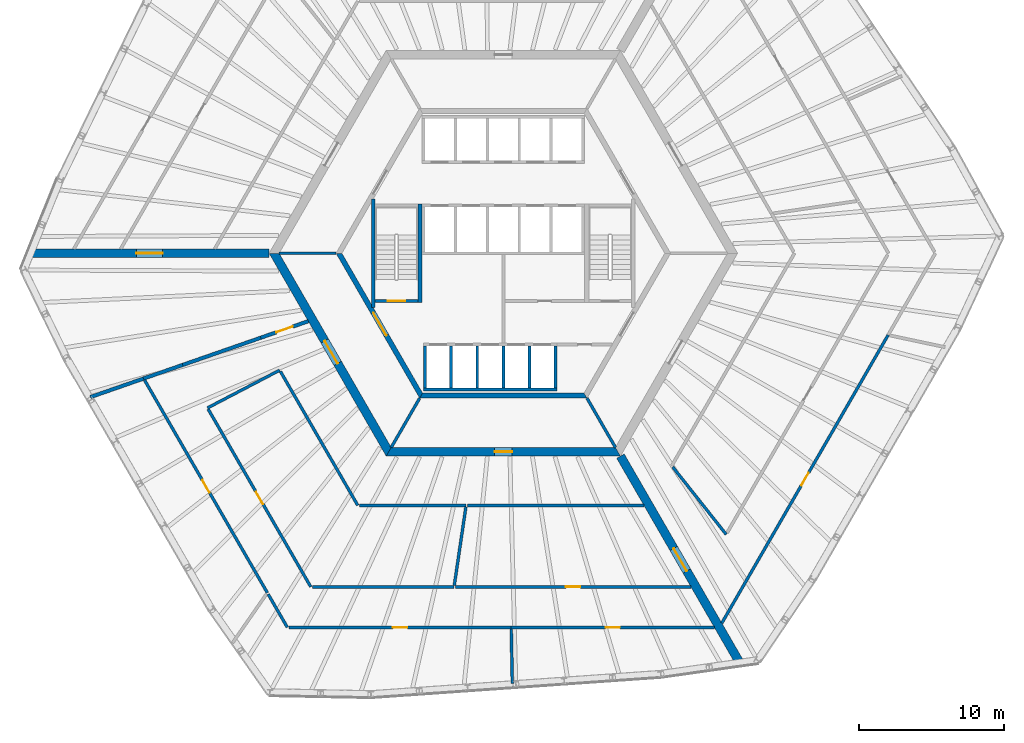
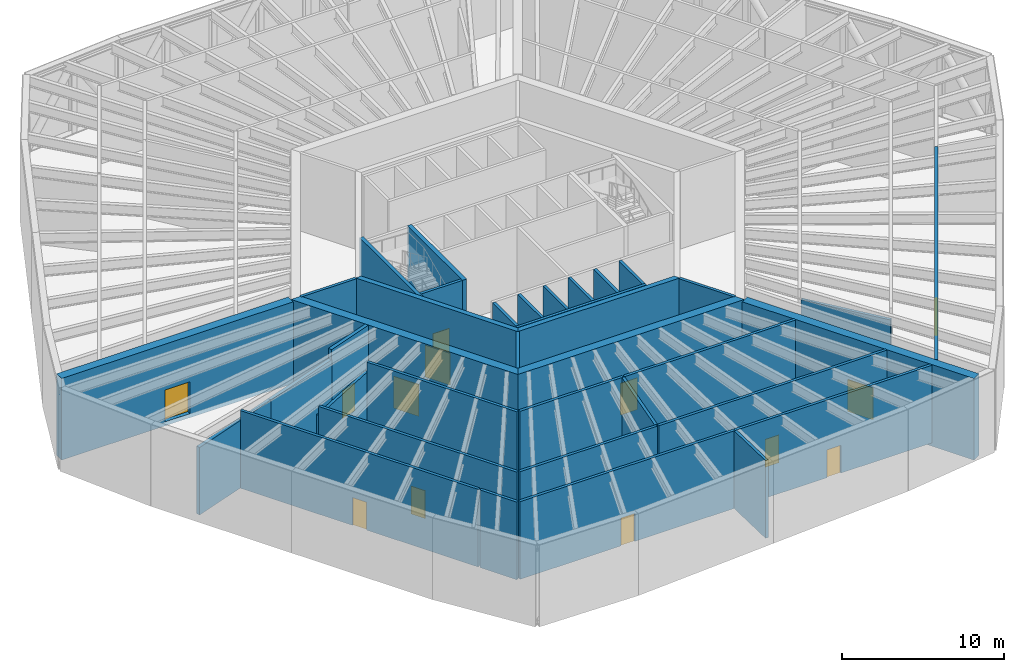
# One storey, part 6 of 11: 38 walls, 13 doors, 13 openings.
"""IFC4 building model written with IfcOpenShell, lengths in metres."""

from ifc_helpers import new_model, si_unit, direction, frame, frame_2d, origin, place, context, subcontext, project, spatial, polyline, rectangle, outline, extrude, material, layer, layer_set, type_object, element, fill, save


model = new_model("IFC4")

# Units and contexts
model_context = context("Model", 3, precision=1e-05, world=origin(), true_north=direction((0.0, 1.0)))
body_context = subcontext(model_context, "Body", "Model", "MODEL_VIEW")
ifc_project = project(units=[si_unit("LENGTHUNIT", "METRE"), si_unit("AREAUNIT", "SQUARE_METRE"), si_unit("VOLUMEUNIT", "CUBIC_METRE"), si_unit("PLANEANGLEUNIT", "RADIAN"), si_unit("MASSUNIT", "GRAM", prefix="KILO")], contexts=[model_context])

# Site, building, storey
site_placement = place(None, origin())
site = spatial("IfcSite", under=ifc_project, at=site_placement, CompositionType="ELEMENT")
building_placement = place(site_placement, origin())
building = spatial("IfcBuilding", under=site, at=building_placement, Name="Tarnside Tower", CompositionType="ELEMENT")
storey_placement = place(building_placement, frame((0.0, 0.0, 31.5)))
storey = spatial("IfcBuildingStorey", under=building, at=storey_placement, Name="L05", CompositionType="ELEMENT", Elevation=31.5)

# Wall, opening, door
ifc_material_1 = material(Name="Concrete C50/60", Category="concrete")
ifc_layer_1 = layer(ifc_material_1, 0.35009765625)
ifc_layer_set_1 = layer_set([ifc_layer_1], Name="Core block wall 350 C50/60")
wall_type_1 = type_object("IfcWallType", Name="Core block wall 350 C50/60", PredefinedType="SHEAR", material=ifc_layer_set_1)
wall_1_placement = place(storey_placement, frame((-11.344970703125, 0.0, -0.300048828125), z_axis=(0.0, 0.0, 1.0), x_axis=(0.499995046907, -0.866028263435, 0.0)))
wall_1 = element("IfcWall", 1, at=wall_1_placement, inside=storey, type_object=wall_type_1, Name="L05 core block wall face 3", PredefinedType="SHEAR", context=body_context, shape_type="SweptSolid", body=[
    extrude(outline(polyline([(-0.10107421875, -0.175048828125), (11.44580078125, -0.175048828125), (11.24365234375, 0.175048828125), (0.10107421875, 0.175048828125), (-0.10107421875, -0.175048828125)])), origin(), (0.0, 0.0, 1.0), 6.150146484375),
])
opening_1_placement = place(wall_1_placement, frame((4.74365234375, 0.0, 0.300048828125)))
opening_1 = element("IfcOpeningElement", 2, at=opening_1_placement, cuts=wall_1, Name="Opening CD-FFL", PredefinedType="OPENING", context=body_context, shape_type="SweptSolid", body=[
    extrude(rectangle(XDim=1.800048828125, YDim=2.39990234375, at=frame_2d((0.89990234375, 1.199951171875))), frame((0.0, 0.18505859375, 0.0), z_axis=(0.0, -1.0, 0.0), x_axis=(1.0, 0.0, 0.0)), (0.0, 0.0, 1.0), 0.3701171875),
])
ifc_material_2 = material(Name="Steel fire door", Category="steel")
door_type_1 = type_object("IfcDoorType", Name="Firefighting lobby double door FD60S 1800x2400", OperationType="NOTDEFINED", PredefinedType="DOOR", material=ifc_material_2)
door_1_placement = place(opening_1_placement, origin())
door_1 = element("IfcDoor", 3, at=door_1_placement, inside=storey, type_object=door_type_1, Name="L05 lobby block door P3", OperationType="DOUBLE_DOOR_SINGLE_SWING", OverallHeight=2.39990234375, OverallWidth=1.800048828125, PredefinedType="DOOR", context=body_context, shape_type="SweptSolid", body=[
    extrude(rectangle(XDim=1.800048828125, YDim=2.39990234375, at=frame_2d((0.89990234375, 1.199951171875))), frame((0.0, 0.02490234375, 0.0), z_axis=(0.0, -1.0, 0.0), x_axis=(1.0, 0.0, 0.0)), (0.0, 0.0, 1.0), 0.050048828125),
])
fill(opening_1, door_1)

# Wall
wall_2_placement = place(storey_placement, frame((-5.672607421875, -9.824951171875, -0.300048828125), z_axis=(0.0, 0.0, 1.0), x_axis=(1.0, 0.0, 0.0)))
element("IfcWall", 4, at=wall_2_placement, inside=storey, type_object=wall_type_1, Name="L05 core block wall face 4", PredefinedType="SHEAR", context=body_context, shape_type="SweptSolid", body=[
    extrude(outline(polyline([(-0.10107421875, -0.175048828125), (11.4462890625, -0.175048828125), (11.244140625, 0.175048828125), (0.10107421875, 0.175048828125), (-0.10107421875, -0.175048828125)])), origin(), (0.0, 0.0, 1.0), 6.150146484375),
])

# Wall, opening, door
ifc_material_3 = material(Name="Concrete C80/95", Category="concrete")
ifc_layer_2 = layer(ifc_material_3, 0.60009765625)
ifc_layer_set_2 = layer_set([ifc_layer_2], Name="Core wall Z1 600 C80/95")
wall_type_2 = type_object("IfcWallType", Name="Core wall Z1 600 C80/95", PredefinedType="SHEAR", material=ifc_layer_set_2)
wall_3_placement = place(storey_placement, frame((-15.8193359375, 0.0, -0.300048828125), z_axis=(0.0, 0.0, 1.0), x_axis=(0.499999880136, -0.866025472988, 0.0)))
wall_3 = element("IfcWall", 5, at=wall_3_placement, inside=storey, type_object=wall_type_2, Name="L05 core wall face 3", PredefinedType="SHEAR", context=body_context, shape_type="SweptSolid", body=[
    extrude(outline(polyline([(-0.17333984375, -0.300048828125), (15.99267578125, -0.300048828125), (15.64599609375, 0.300048828125), (0.17333984375, 0.300048828125), (-0.17333984375, -0.300048828125)])), origin(), (0.0, 0.0, 1.0), 6.150146484375),
])
opening_2_placement = place(wall_3_placement, frame((6.980712890625, 0.0, 0.300048828125)))
opening_2 = element("IfcOpeningElement", 6, at=opening_2_placement, cuts=wall_3, Name="Opening CD-FFL", PredefinedType="OPENING", context=body_context, shape_type="SweptSolid", body=[
    extrude(rectangle(XDim=1.800048828125, YDim=2.39990234375, at=frame_2d((0.89990234375, 1.199951171875))), frame((0.0, 0.31005859375, 0.0), z_axis=(0.0, -1.0, 0.0), x_axis=(1.0, 0.0, 0.0)), (0.0, 0.0, 1.0), 0.6201171875),
])
door_2_placement = place(opening_2_placement, origin())
door_2 = element("IfcDoor", 7, at=door_2_placement, inside=storey, type_object=door_type_1, Name="L05 core door P3", OperationType="DOUBLE_DOOR_SINGLE_SWING", OverallHeight=2.39990234375, OverallWidth=1.800048828125, PredefinedType="DOOR", context=body_context, shape_type="SweptSolid", body=[
    extrude(rectangle(XDim=1.800048828125, YDim=2.39990234375, at=frame_2d((0.89990234375, 1.199951171875))), frame((0.0, 0.02490234375, 0.0), z_axis=(0.0, -1.0, 0.0), x_axis=(1.0, 0.0, 0.0)), (0.0, 0.0, 1.0), 0.050048828125),
])
fill(opening_2, door_2)

wall_4_placement = place(storey_placement, frame((-7.90966796875, -13.699951171875, -0.300048828125), z_axis=(0.0, 0.0, 1.0), x_axis=(1.0, 0.0, 0.0)))
wall_4 = element("IfcWall", 8, at=wall_4_placement, inside=storey, type_object=wall_type_2, Name="L05 core wall face 4", PredefinedType="SHEAR", context=body_context, shape_type="SweptSolid", body=[
    extrude(outline(polyline([(-0.17333984375, -0.300048828125), (15.99267578125, -0.300048828125), (15.64599609375, 0.300048828125), (0.17333984375, 0.300048828125), (-0.17333984375, -0.300048828125)])), origin(), (0.0, 0.0, 1.0), 6.150146484375),
])
opening_3_placement = place(wall_4_placement, frame((7.309814453125, 0.0, 0.300048828125)))
opening_3 = element("IfcOpeningElement", 9, at=opening_3_placement, cuts=wall_4, Name="Opening CD-RSR", PredefinedType="OPENING", context=body_context, shape_type="SweptSolid", body=[
    extrude(rectangle(XDim=1.199951171875, YDim=2.39990234375, at=frame_2d((0.60009765625, 1.199951171875))), frame((0.0, 0.31005859375, 0.0), z_axis=(0.0, -1.0, 0.0), x_axis=(1.0, 0.0, 0.0)), (0.0, 0.0, 1.0), 0.6201171875),
])
door_type_2 = type_object("IfcDoorType", Name="Riser door FD60 1200x2400", OperationType="NOTDEFINED", PredefinedType="DOOR", material=ifc_material_2)
door_3_placement = place(opening_3_placement, origin())
door_3 = element("IfcDoor", 10, at=door_3_placement, inside=storey, type_object=door_type_2, Name="L05 core door S6", OperationType="SINGLE_SWING_LEFT", OverallHeight=2.39990234375, OverallWidth=1.199951171875, PredefinedType="DOOR", context=body_context, shape_type="SweptSolid", body=[
    extrude(rectangle(XDim=1.199951171875, YDim=2.39990234375, at=frame_2d((0.60009765625, 1.199951171875))), frame((0.0, 0.02490234375, 0.0), z_axis=(0.0, -1.0, 0.0), x_axis=(1.0, 0.0, 0.0)), (0.0, 0.0, 1.0), 0.050048828125),
])
fill(opening_3, door_3)

wall_5_placement = place(storey_placement, frame((-16.165771484375, 0.0, -0.300048828125), z_axis=(0.0, 0.0, 1.0), x_axis=(-1.0, 0.0, 0.0)))
wall_5 = element("IfcWall", 11, at=wall_5_placement, inside=storey, type_object=wall_type_2, Name="L05 spine wall 2", PredefinedType="SHEAR", context=body_context, shape_type="SweptSolid", body=[
    extrude(rectangle(XDim=16.509033203125, YDim=0.60009765625, at=frame_2d((8.25439453125, 0.0))), origin(), (0.0, 0.0, 1.0), 6.150146484375),
])
opening_4_placement = place(wall_5_placement, frame((7.3544921875, 0.0, 0.300048828125)))
opening_4 = element("IfcOpeningElement", 12, at=opening_4_placement, cuts=wall_5, Name="Opening CD-SPN", PredefinedType="OPENING", context=body_context, shape_type="SweptSolid", body=[
    extrude(rectangle(XDim=1.800048828125, YDim=2.39990234375, at=frame_2d((0.89990234375, 1.199951171875))), frame((0.0, 0.31005859375, 0.0), z_axis=(0.0, -1.0, 0.0), x_axis=(1.0, 0.0, 0.0)), (0.0, 0.0, 1.0), 0.6201171875),
])
door_type_3 = type_object("IfcDoorType", Name="Spine passage double door FD60 1800x2400", OperationType="NOTDEFINED", PredefinedType="DOOR", material=ifc_material_2)
door_4_placement = place(opening_4_placement, origin())
door_4 = element("IfcDoor", 13, at=door_4_placement, inside=storey, type_object=door_type_3, Name="L05 spine passage door 2", OperationType="DOUBLE_DOOR_SINGLE_SWING", OverallHeight=2.39990234375, OverallWidth=1.800048828125, PredefinedType="DOOR", context=body_context, shape_type="SweptSolid", body=[
    extrude(rectangle(XDim=1.800048828125, YDim=2.39990234375, at=frame_2d((0.89990234375, 1.199951171875))), frame((0.0, 0.02490234375, 0.0), z_axis=(0.0, -1.0, 0.0), x_axis=(1.0, 0.0, 0.0)), (0.0, 0.0, 1.0), 0.050048828125),
])
fill(opening_4, door_4)

wall_6_placement = place(storey_placement, frame((8.0830078125, -14.0, -0.300048828125), z_axis=(0.0, 0.0, 1.0), x_axis=(0.499997680643, -0.866026742862, 0.0)))
wall_6 = element("IfcWall", 14, at=wall_6_placement, inside=storey, type_object=wall_type_2, Name="L05 spine wall 3", PredefinedType="SHEAR", context=body_context, shape_type="SweptSolid", body=[
    extrude(rectangle(XDim=16.5087890625, YDim=0.60009765625, at=frame_2d((8.25439453125, 0.0))), origin(), (0.0, 0.0, 1.0), 6.150146484375),
])
opening_5_placement = place(wall_6_placement, frame((7.3544921875, 0.0, 0.300048828125)))
opening_5 = element("IfcOpeningElement", 15, at=opening_5_placement, cuts=wall_6, Name="Opening CD-SPN", PredefinedType="OPENING", context=body_context, shape_type="SweptSolid", body=[
    extrude(rectangle(XDim=1.800048828125, YDim=2.39990234375, at=frame_2d((0.89990234375, 1.199951171875))), frame((0.0, 0.31005859375, 0.0), z_axis=(0.0, -1.0, 0.0), x_axis=(1.0, 0.0, 0.0)), (0.0, 0.0, 1.0), 0.6201171875),
])
door_5_placement = place(opening_5_placement, origin())
door_5 = element("IfcDoor", 16, at=door_5_placement, inside=storey, type_object=door_type_3, Name="L05 spine passage door 3", OperationType="DOUBLE_DOOR_SINGLE_SWING", OverallHeight=2.39990234375, OverallWidth=1.800048828125, PredefinedType="DOOR", context=body_context, shape_type="SweptSolid", body=[
    extrude(rectangle(XDim=1.800048828125, YDim=2.39990234375, at=frame_2d((0.89990234375, 1.199951171875))), frame((0.0, 0.02490234375, 0.0), z_axis=(0.0, -1.0, 0.0), x_axis=(1.0, 0.0, 0.0)), (0.0, 0.0, 1.0), 0.050048828125),
])
fill(opening_5, door_5)

# Walls
ifc_material_4 = material(Name="Concrete C40/50", Category="concrete")
ifc_layer_3 = layer(ifc_material_4, 0.199951171875)
ifc_layer_set_3 = layer_set([ifc_layer_3], Name="Lift shaft wall 200 C40/50")
wall_type_3 = type_object("IfcWallType", Name="Lift shaft wall 200 C40/50", PredefinedType="SHEAR", material=ifc_layer_set_3)
wall_7_placement = place(storey_placement, frame((-5.5, -9.39990234375, -0.25), z_axis=(0.0, 0.0, 1.0), x_axis=(1.0, 0.0, 0.0)))
element("IfcWall", 17, at=wall_7_placement, inside=storey, type_object=wall_type_3, Name="L05 lift shaft back wall R4", PredefinedType="SHEAR", context=body_context, shape_type="SweptSolid", body=[
    extrude(rectangle(XDim=9.199951171875, YDim=0.199951171875, at=frame_2d((4.60009765625, 0.0))), origin(), (0.0, 0.0, 1.0), 6.0),
])
for number, where, z_axis, x_axis, name in (
    (18, (-5.39990234375, -9.300048828125, -0.25), (0.0, 0.0, 1.0), (0.0, 1.0, 0.0), "L05 lift shaft partition R41"),
    (19, (-3.60009765625, -9.300048828125, -0.25), (0.0, 0.0, 1.0), (0.0, 1.0, 0.0), "L05 lift shaft partition R42"),
    (20, (-1.800048828125, -9.300048828125, -0.25), (0.0, 0.0, 1.0), (0.0, 1.0, 0.0), "L05 lift shaft partition R43"),
    (21, (0.0, -9.300048828125, -0.25), (0.0, 0.0, 1.0), (0.0, 1.0, 0.0), "L05 lift shaft partition R44"),
    (22, (1.800048828125, -9.300048828125, -0.25), (0.0, 0.0, 1.0), (0.0, 1.0, 0.0), "L05 lift shaft partition R45"),
    (23, (3.60009765625, -9.300048828125, -0.25), (0.0, 0.0, 1.0), (0.0, 1.0, 0.0), "L05 lift shaft partition R46"),
):
    element("IfcWall", number, at=place(storey_placement, frame(where, z_axis=z_axis, x_axis=x_axis)), inside=storey, type_object=wall_type_3, Name=name, PredefinedType="SHEAR", context=body_context, shape_type="SweptSolid", body=[
        extrude(rectangle(XDim=2.900146484375, YDim=0.199951171875, at=frame_2d((1.4501953125, 0.0))), origin(), (0.0, 0.0, 1.0), 6.0),
    ])
wall_8_placement = place(storey_placement, frame((-11.547119140625, 0.0, -0.300048828125), z_axis=(0.0, 0.0, 1.0), x_axis=(-1.0, 0.0, 0.0)))
element("IfcWall", 24, at=wall_8_placement, inside=storey, type_object=wall_type_3, Name="L05 core partition AR180", PredefinedType="SHEAR", context=body_context, shape_type="SweptSolid", body=[
    extrude(rectangle(XDim=3.92578125, YDim=0.199951171875, at=frame_2d((1.962890625, 0.0))), origin(), (0.0, 0.0, 1.0), 6.150146484375),
])
for number, where, z_axis, x_axis, name in (
    (25, (-5.7734375, -10.0, -0.300048828125), (0.0, 0.0, 1.0), (-0.500038251005, -0.86600331843, 0.0), "L05 core partition AR240"),
    (26, (5.7734375, -10.0, -0.300048828125), (0.0, 0.0, 1.0), (0.500038251005, -0.86600331843, 0.0), "L05 core partition AR300"),
):
    element("IfcWall", number, at=place(storey_placement, frame(where, z_axis=z_axis, x_axis=x_axis)), inside=storey, type_object=wall_type_3, Name=name, PredefinedType="SHEAR", context=body_context, shape_type="SweptSolid", body=[
        extrude(rectangle(XDim=3.926025390625, YDim=0.199951171875, at=frame_2d((1.962890625, 0.0))), origin(), (0.0, 0.0, 1.0), 6.150146484375),
    ])

# Wall, opening, door
wall_9_placement = place(storey_placement, frame((-8.85009765625, -3.300048828125, -0.25), z_axis=(0.0, 0.0, 1.0), x_axis=(1.0, 0.0, 0.0)))
wall_9 = element("IfcWall", 27, at=wall_9_placement, inside=storey, type_object=wall_type_3, Name="L05 stair 2 enclosure cap wall s", PredefinedType="SHEAR", context=body_context, shape_type="SweptSolid", body=[
    extrude(rectangle(XDim=2.9501953125, YDim=0.199951171875, at=frame_2d((1.47509765625, 0.0))), origin(), (0.0, 0.0, 1.0), 6.0),
])
opening_6_placement = place(wall_9_placement, frame((0.875, 0.0, 0.25)))
opening_6 = element("IfcOpeningElement", 28, at=opening_6_placement, cuts=wall_9, Name="Opening CD-STR", PredefinedType="OPENING", context=body_context, shape_type="SweptSolid", body=[
    extrude(rectangle(XDim=1.199951171875, YDim=2.39990234375, at=frame_2d((0.60009765625, 1.199951171875))), frame((0.0, 0.10986328125, 0.0), z_axis=(0.0, -1.0, 0.0), x_axis=(1.0, 0.0, 0.0)), (0.0, 0.0, 1.0), 0.219970703125),
])
door_type_4 = type_object("IfcDoorType", Name="Stair door FD60S 1200x2400", OperationType="NOTDEFINED", PredefinedType="DOOR", material=ifc_material_2)
door_6_placement = place(opening_6_placement, origin())
door_6 = element("IfcDoor", 29, at=door_6_placement, inside=storey, type_object=door_type_4, Name="L05 stair 2 door", OperationType="SINGLE_SWING_LEFT", OverallHeight=2.39990234375, OverallWidth=1.199951171875, PredefinedType="DOOR", context=body_context, shape_type="SweptSolid", body=[
    extrude(rectangle(XDim=1.199951171875, YDim=2.39990234375, at=frame_2d((0.60009765625, 1.199951171875))), frame((0.0, 0.02490234375, 0.0), z_axis=(0.0, -1.0, 0.0), x_axis=(1.0, 0.0, 0.0)), (0.0, 0.0, 1.0), 0.050048828125),
])
fill(opening_6, door_6)

# Walls
ifc_layer_4 = layer(ifc_material_4, 0.25)
ifc_layer_set_4 = layer_set([ifc_layer_4], Name="Stair enclosure wall 250 C40/50")
wall_type_4 = type_object("IfcWallType", Name="Stair enclosure wall 250 C40/50", PredefinedType="SHEAR", material=ifc_layer_set_4)
wall_10_placement = place(storey_placement, frame((-8.97509765625, -3.7548828125, -0.25), z_axis=(0.0, 0.0, 1.0), x_axis=(0.0, 1.0, 0.0)))
element("IfcWall", 30, at=wall_10_placement, inside=storey, type_object=wall_type_4, Name="L05 stair 2 enclosure wall outer", PredefinedType="SHEAR", context=body_context, shape_type="SweptSolid", body=[
    extrude(rectangle(XDim=7.509765625, YDim=0.25, at=frame_2d((3.7548828125, 0.0))), origin(), (0.0, 0.0, 1.0), 6.0),
])
ifc_layer_5 = layer(ifc_material_4, 0.300048828125)
ifc_layer_set_5 = layer_set([ifc_layer_5], Name="Stair enclosure wall 300 C40/50")
wall_type_5 = type_object("IfcWallType", Name="Stair enclosure wall 300 C40/50", PredefinedType="SHEAR", material=ifc_layer_set_5)
wall_11_placement = place(storey_placement, frame((-5.75, -3.39990234375, -0.25), z_axis=(0.0, 0.0, 1.0), x_axis=(0.0, 1.0, 0.0)))
element("IfcWall", 31, at=wall_11_placement, inside=storey, type_object=wall_type_5, Name="L05 stair 2 enclosure wall inner", PredefinedType="SHEAR", context=body_context, shape_type="SweptSolid", body=[
    extrude(rectangle(XDim=6.7998046875, YDim=0.300048828125, at=frame_2d((3.39990234375, 0.0))), origin(), (0.0, 0.0, 1.0), 6.0),
])

# Wall, opening, door
ifc_material_5 = material(Name="Concrete C32/40", Category="concrete")
ifc_layer_6 = layer(ifc_material_5, 0.199951171875)
ifc_layer_set_6 = layer_set([ifc_layer_6], Name="Wall 200 reinforced Concrete C32/40")
wall_type_6 = type_object("IfcWallType", Name="Wall 200 reinforced Concrete C32/40", PredefinedType="PARTITIONING", material=ifc_layer_set_6)
wall_12_placement = place(storey_placement, frame((-16.285888671875, -23.431884765625, 0.0), z_axis=(0.0, 0.0, 1.0), x_axis=(-0.49996436611, 0.866045976043, 0.0)))
wall_12 = element("IfcWall", 32, at=wall_12_placement, inside=storey, type_object=wall_type_6, Name="Partition 001", PredefinedType="PARTITIONING", context=body_context, shape_type="SweptSolid", body=[
    extrude(rectangle(XDim=16.947998046875, YDim=0.199951171875, at=frame_2d((8.47412109375, 0.0))), origin(), (0.0, 0.0, 1.0), 5.85009765625),
])
opening_7_placement = place(wall_12_placement, frame((7.97412109375, 0.0, 0.0)))
opening_7 = element("IfcOpeningElement", 33, at=opening_7_placement, cuts=wall_12, Name="Opening D1000F60", PredefinedType="OPENING", context=body_context, shape_type="SweptSolid", body=[
    extrude(rectangle(XDim=1.0, YDim=2.10009765625, at=frame_2d((0.5, 1.050048828125))), frame((0.0, 0.10986328125, 0.0), z_axis=(0.0, -1.0, 0.0), x_axis=(1.0, 0.0, 0.0)), (0.0, 0.0, 1.0), 0.219970703125),
])
ifc_material_6 = material(Name="Timber door leaf", Category="wood")
door_type_5 = type_object("IfcDoorType", Name="Door 1000 x 2100 single leaf FD60 fire door", OperationType="NOTDEFINED", PredefinedType="DOOR", material=ifc_material_6)
door_7_placement = place(opening_7_placement, origin())
door_7 = element("IfcDoor", 34, at=door_7_placement, inside=storey, type_object=door_type_5, Name="Door L05-02", OperationType="SINGLE_SWING_LEFT", OverallHeight=2.10009765625, OverallWidth=1.0, PredefinedType="DOOR", context=body_context, shape_type="SweptSolid", body=[
    extrude(rectangle(XDim=1.0, YDim=2.10009765625, at=frame_2d((0.5, 1.050048828125))), frame((0.0, 0.02490234375, 0.0), z_axis=(0.0, -1.0, 0.0), x_axis=(1.0, 0.0, 0.0)), (0.0, 0.0, 1.0), 0.050048828125),
])
fill(opening_7, door_7)

# Walls
wall_13_placement = place(storey_placement, frame((-20.41796875, -10.674072265625, 0.0), z_axis=(0.0, 0.0, 1.0), x_axis=(0.886208434204, 0.463286748295, 0.0)))
element("IfcWall", 35, at=wall_13_placement, inside=storey, type_object=wall_type_6, Name="Partition 005", PredefinedType="PARTITIONING", context=body_context, shape_type="SweptSolid", body=[
    extrude(rectangle(XDim=5.625, YDim=0.199951171875, at=frame_2d((2.8125, 0.0))), origin(), (0.0, 0.0, 1.0), 5.095947265625),
])
wall_14_placement = place(storey_placement, frame((-16.230712890625, -23.527587890625, 0.0), z_axis=(0.0, 0.0, 1.0), x_axis=(0.500047101561, -0.865998207978, 0.0)))
element("IfcWall", 36, at=wall_14_placement, inside=storey, type_object=wall_type_6, Name="Partition 009", PredefinedType="PARTITIONING", context=body_context, shape_type="SweptSolid", body=[
    extrude(rectangle(XDim=2.647216796875, YDim=0.199951171875, at=frame_2d((1.32373046875, 0.0))), origin(), (0.0, 0.0, 1.0), 5.85009765625),
])
wall_15_placement = place(storey_placement, frame((-15.383056640625, -8.15478515625, 0.0), z_axis=(0.0, 0.0, 1.0), x_axis=(0.499963979216, -0.866046199395, 0.0)))
element("IfcWall", 37, at=wall_15_placement, inside=storey, type_object=wall_type_6, Name="Partition 010", PredefinedType="PARTITIONING", context=body_context, shape_type="SweptSolid", body=[
    extrude(rectangle(XDim=10.675048828125, YDim=0.199951171875, at=frame_2d((5.33740234375, 0.0))), origin(), (0.0, 0.0, 1.0), 5.85009765625),
])

# Wall, opening, door
wall_16_placement = place(storey_placement, frame((0.541015625, -25.820068359375, 0.0), z_axis=(0.0, 0.0, 1.0), x_axis=(-1.0, 0.0, 0.0)))
wall_16 = element("IfcWall", 38, at=wall_16_placement, inside=storey, type_object=wall_type_6, Name="Partition 013", PredefinedType="PARTITIONING", context=body_context, shape_type="SweptSolid", body=[
    extrude(rectangle(XDim=15.33251953125, YDim=0.199951171875, at=frame_2d((7.666259765625, 0.0))), origin(), (0.0, 0.0, 1.0), 5.85009765625),
])
opening_8_placement = place(wall_16_placement, frame((7.166259765625, 0.0, 0.0)))
opening_8 = element("IfcOpeningElement", 39, at=opening_8_placement, cuts=wall_16, Name="Opening D1000F60", PredefinedType="OPENING", context=body_context, shape_type="SweptSolid", body=[
    extrude(rectangle(XDim=1.0, YDim=2.10009765625, at=frame_2d((0.5, 1.050048828125))), frame((0.0, 0.10986328125, 0.0), z_axis=(0.0, -1.0, 0.0), x_axis=(1.0, 0.0, 0.0)), (0.0, 0.0, 1.0), 0.219970703125),
])
door_8_placement = place(opening_8_placement, origin())
door_8 = element("IfcDoor", 40, at=door_8_placement, inside=storey, type_object=door_type_5, Name="Door L05-04", OperationType="SINGLE_SWING_LEFT", OverallHeight=2.10009765625, OverallWidth=1.0, PredefinedType="DOOR", context=body_context, shape_type="SweptSolid", body=[
    extrude(rectangle(XDim=1.0, YDim=2.10009765625, at=frame_2d((0.5, 1.050048828125))), frame((0.0, 0.02490234375, 0.0), z_axis=(0.0, -1.0, 0.0), x_axis=(1.0, 0.0, 0.0)), (0.0, 0.0, 1.0), 0.050048828125),
])
fill(opening_8, door_8)

wall_17_placement = place(storey_placement, frame((-20.367919921875, -10.7607421875, 0.0), z_axis=(0.0, 0.0, 1.0), x_axis=(0.49994739805, -0.866055771404, 0.0)))
wall_17 = element("IfcWall", 41, at=wall_17_placement, inside=storey, type_object=wall_type_6, Name="Partition 016", PredefinedType="PARTITIONING", context=body_context, shape_type="SweptSolid", body=[
    extrude(rectangle(XDim=14.1552734375, YDim=0.199951171875, at=frame_2d((7.07763671875, 0.0))), origin(), (0.0, 0.0, 1.0), 5.85009765625),
])
opening_9_placement = place(wall_17_placement, frame((6.57763671875, 0.0, 0.0)))
opening_9 = element("IfcOpeningElement", 42, at=opening_9_placement, cuts=wall_17, Name="Opening D1000F60", PredefinedType="OPENING", context=body_context, shape_type="SweptSolid", body=[
    extrude(rectangle(XDim=1.0, YDim=2.10009765625, at=frame_2d((0.5, 1.050048828125))), frame((0.0, 0.10986328125, 0.0), z_axis=(0.0, -1.0, 0.0), x_axis=(1.0, 0.0, 0.0)), (0.0, 0.0, 1.0), 0.219970703125),
])
door_9_placement = place(opening_9_placement, origin())
door_9 = element("IfcDoor", 43, at=door_9_placement, inside=storey, type_object=door_type_5, Name="Door L05-06", OperationType="SINGLE_SWING_LEFT", OverallHeight=2.10009765625, OverallWidth=1.0, PredefinedType="DOOR", context=body_context, shape_type="SweptSolid", body=[
    extrude(rectangle(XDim=1.0, YDim=2.10009765625, at=frame_2d((0.5, 1.050048828125))), frame((0.0, 0.02490234375, 0.0), z_axis=(0.0, -1.0, 0.0), x_axis=(1.0, 0.0, 0.0)), (0.0, 0.0, 1.0), 0.050048828125),
])
fill(opening_9, door_9)

# Walls
wall_18_placement = place(storey_placement, frame((-9.930419921875, -17.39990234375, 0.0), z_axis=(0.0, 0.0, 1.0), x_axis=(1.0, 0.0, 0.0)))
element("IfcWall", 44, at=wall_18_placement, inside=storey, type_object=wall_type_6, Name="Partition 019", PredefinedType="PARTITIONING", context=body_context, shape_type="SweptSolid", body=[
    extrude(rectangle(XDim=7.361328125, YDim=0.199951171875, at=frame_2d((3.6806640625, 0.0))), origin(), (0.0, 0.0, 1.0), 5.85009765625),
])
wall_19_placement = place(storey_placement, frame((-3.39892578125, -23.02001953125, 0.0), z_axis=(0.0, 0.0, 1.0), x_axis=(-1.0, 0.0, 0.0)))
element("IfcWall", 45, at=wall_19_placement, inside=storey, type_object=wall_type_6, Name="Partition 021", PredefinedType="PARTITIONING", context=body_context, shape_type="SweptSolid", body=[
    extrude(rectangle(XDim=9.776611328125, YDim=0.199951171875, at=frame_2d((4.88818359375, 0.0))), origin(), (0.0, 0.0, 1.0), 5.85009765625),
])
wall_20_placement = place(storey_placement, frame((-3.38427734375, -22.919921875, 0.0), z_axis=(0.0, 0.0, 1.0), x_axis=(0.146117446513, 0.98926724995, 0.0)))
element("IfcWall", 46, at=wall_20_placement, inside=storey, type_object=wall_type_6, Name="Partition 022", PredefinedType="PARTITIONING", context=body_context, shape_type="SweptSolid", body=[
    extrude(rectangle(XDim=5.478759765625, YDim=0.199951171875, at=frame_2d((2.7392578125, 0.0))), origin(), (0.0, 0.0, 1.0), 5.85009765625),
])
wall_21_placement = place(storey_placement, frame((-2.468017578125, -17.39990234375, 0.0), z_axis=(0.0, 0.0, 1.0), x_axis=(1.0, 0.0, 0.0)))
element("IfcWall", 47, at=wall_21_placement, inside=storey, type_object=wall_type_6, Name="Partition 023", PredefinedType="PARTITIONING", context=body_context, shape_type="SweptSolid", body=[
    extrude(rectangle(XDim=12.1669921875, YDim=0.199951171875, at=frame_2d((6.08349609375, 0.0))), origin(), (0.0, 0.0, 1.0), 5.85009765625),
])

# Wall, opening, door
wall_22_placement = place(storey_placement, frame((14.56103515625, -25.820068359375, 0.0), z_axis=(0.0, 0.0, 1.0), x_axis=(-1.0, 0.0, 0.0)))
wall_22 = element("IfcWall", 48, at=wall_22_placement, inside=storey, type_object=wall_type_6, Name="Partition 024", PredefinedType="PARTITIONING", context=body_context, shape_type="SweptSolid", body=[
    extrude(rectangle(XDim=14.02001953125, YDim=0.199951171875, at=frame_2d((7.010009765625, 0.0))), origin(), (0.0, 0.0, 1.0), 5.85009765625),
])
opening_10_placement = place(wall_22_placement, frame((6.510009765625, 0.0, 0.0)))
opening_10 = element("IfcOpeningElement", 49, at=opening_10_placement, cuts=wall_22, Name="Opening D1000F60", PredefinedType="OPENING", context=body_context, shape_type="SweptSolid", body=[
    extrude(rectangle(XDim=1.0, YDim=2.10009765625, at=frame_2d((0.5, 1.050048828125))), frame((0.0, 0.10986328125, 0.0), z_axis=(0.0, -1.0, 0.0), x_axis=(1.0, 0.0, 0.0)), (0.0, 0.0, 1.0), 0.219970703125),
])
door_10_placement = place(opening_10_placement, origin())
door_10 = element("IfcDoor", 50, at=door_10_placement, inside=storey, type_object=door_type_5, Name="Door L05-08", OperationType="SINGLE_SWING_LEFT", OverallHeight=2.10009765625, OverallWidth=1.0, PredefinedType="DOOR", context=body_context, shape_type="SweptSolid", body=[
    extrude(rectangle(XDim=1.0, YDim=2.10009765625, at=frame_2d((0.5, 1.050048828125))), frame((0.0, 0.02490234375, 0.0), z_axis=(0.0, -1.0, 0.0), x_axis=(1.0, 0.0, 0.0)), (0.0, 0.0, 1.0), 0.050048828125),
])
fill(opening_10, door_10)

# Wall
wall_23_placement = place(storey_placement, frame((0.62109375, -29.678955078125, 0.0), z_axis=(0.0, 0.0, 1.0), x_axis=(-0.020778782314, 0.999784097796, 0.0)))
element("IfcWall", 51, at=wall_23_placement, inside=storey, type_object=wall_type_6, Name="Partition 025", PredefinedType="PARTITIONING", context=body_context, shape_type="SweptSolid", body=[
    extrude(rectangle(XDim=3.759765625, YDim=0.199951171875, at=frame_2d((1.8798828125, 0.0))), origin(), (0.0, 0.0, 1.0), 5.85009765625),
])

# Wall, opening, door
wall_24_placement = place(storey_placement, frame((-3.2978515625, -23.02001953125, 0.0), z_axis=(0.0, 0.0, 1.0), x_axis=(1.0, 0.0, 0.0)))
wall_24 = element("IfcWall", 52, at=wall_24_placement, inside=storey, type_object=wall_type_6, Name="Partition 031", PredefinedType="PARTITIONING", context=body_context, shape_type="SweptSolid", body=[
    extrude(rectangle(XDim=16.241943359375, YDim=0.199951171875, at=frame_2d((8.12109375, 0.0))), origin(), (0.0, 0.0, 1.0), 5.85009765625),
])
opening_11_placement = place(wall_24_placement, frame((7.620849609375, 0.0, 0.0)))
opening_11 = element("IfcOpeningElement", 53, at=opening_11_placement, cuts=wall_24, Name="Opening D1000F60", PredefinedType="OPENING", context=body_context, shape_type="SweptSolid", body=[
    extrude(rectangle(XDim=1.0, YDim=2.10009765625, at=frame_2d((0.5, 1.050048828125))), frame((0.0, 0.10986328125, 0.0), z_axis=(0.0, -1.0, 0.0), x_axis=(1.0, 0.0, 0.0)), (0.0, 0.0, 1.0), 0.219970703125),
])
door_11_placement = place(opening_11_placement, origin())
door_11 = element("IfcDoor", 54, at=door_11_placement, inside=storey, type_object=door_type_5, Name="Door L05-10", OperationType="SINGLE_SWING_LEFT", OverallHeight=2.10009765625, OverallWidth=1.0, PredefinedType="DOOR", context=body_context, shape_type="SweptSolid", body=[
    extrude(rectangle(XDim=1.0, YDim=2.10009765625, at=frame_2d((0.5, 1.050048828125))), frame((0.0, 0.02490234375, 0.0), z_axis=(0.0, -1.0, 0.0), x_axis=(1.0, 0.0, 0.0)), (0.0, 0.0, 1.0), 0.050048828125),
])
fill(opening_11, door_11)

wall_25_placement = place(storey_placement, frame((26.554931640625, -5.64501953125, 0.0), z_axis=(0.0, 0.0, 1.0), x_axis=(-0.500000552801, -0.866025084624, 0.0)))
wall_25 = element("IfcWall", 55, at=wall_25_placement, inside=storey, type_object=wall_type_6, Name="Partition 034", PredefinedType="PARTITIONING", context=body_context, shape_type="SweptSolid", body=[
    extrude(rectangle(XDim=22.94970703125, YDim=0.199951171875, at=frame_2d((11.474853515625, 0.0))), origin(), (0.0, 0.0, 1.0), 5.85009765625),
])
opening_12_placement = place(wall_25_placement, frame((10.974853515625, 0.0, 0.0)))
opening_12 = element("IfcOpeningElement", 56, at=opening_12_placement, cuts=wall_25, Name="Opening D1000F60", PredefinedType="OPENING", context=body_context, shape_type="SweptSolid", body=[
    extrude(rectangle(XDim=1.0, YDim=2.10009765625, at=frame_2d((0.5, 1.050048828125))), frame((0.0, 0.10986328125, 0.0), z_axis=(0.0, -1.0, 0.0), x_axis=(1.0, 0.0, 0.0)), (0.0, 0.0, 1.0), 0.219970703125),
])
door_12_placement = place(opening_12_placement, origin())
door_12 = element("IfcDoor", 57, at=door_12_placement, inside=storey, type_object=door_type_5, Name="Door L05-13", OperationType="SINGLE_SWING_RIGHT", OverallHeight=2.10009765625, OverallWidth=1.0, PredefinedType="DOOR", context=body_context, shape_type="SweptSolid", body=[
    extrude(rectangle(XDim=1.0, YDim=2.10009765625, at=frame_2d((0.5, 1.050048828125))), frame((0.0, 0.02490234375, 0.0), z_axis=(0.0, -1.0, 0.0), x_axis=(1.0, 0.0, 0.0)), (0.0, 0.0, 1.0), 0.050048828125),
])
fill(opening_12, door_12)

# Walls
wall_26_placement = place(storey_placement, frame((15.37890625, -19.403076171875, 0.0), z_axis=(0.0, 0.0, 1.0), x_axis=(-0.62116837149, 0.783677136492, 0.0)))
element("IfcWall", 58, at=wall_26_placement, inside=storey, type_object=wall_type_6, Name="Partition 035", PredefinedType="PARTITIONING", context=body_context, shape_type="SweptSolid", body=[
    extrude(rectangle(XDim=5.937255859375, YDim=0.199951171875, at=frame_2d((2.96875, 0.0))), origin(), (0.0, 0.0, 1.0), 5.087890625),
])
ifc_layer_7 = layer(ifc_material_5, 0.25)
ifc_layer_set_7 = layer_set([ifc_layer_7], Name="Wall 250 reinforced Concrete C32/40")
wall_type_7 = type_object("IfcWallType", Name="Wall 250 reinforced Concrete C32/40", PredefinedType="PARTITIONING", material=ifc_layer_set_7)
wall_27_placement = place(storey_placement, frame((-24.81298828125, -8.64111328125, 0.0), z_axis=(0.0, 0.0, 1.0), x_axis=(-0.944373627708, -0.328874522105, 0.0)))
element("IfcWall", 59, at=wall_27_placement, inside=storey, type_object=wall_type_7, Name="Partition 002", PredefinedType="PARTITIONING", context=body_context, shape_type="SweptSolid", body=[
    extrude(rectangle(XDim=3.90625, YDim=0.25, at=frame_2d((1.953125, 0.0))), origin(), (0.0, 0.0, 1.0), 5.087890625),
])
wall_28_placement = place(storey_placement, frame((-22.1220703125, -7.7041015625, 0.0), z_axis=(0.0, 0.0, 1.0), x_axis=(-0.944466947751, -0.328606428127, 0.0)))
element("IfcWall", 60, at=wall_28_placement, inside=storey, type_object=wall_type_7, Name="Partition 004", PredefinedType="PARTITIONING", context=body_context, shape_type="SweptSolid", body=[
    extrude(rectangle(XDim=2.869384765625, YDim=0.25, at=frame_2d((1.4345703125, 0.0))), origin(), (0.0, 0.0, 1.0), 5.087890625),
])
wall_29_placement = place(storey_placement, frame((-16.718017578125, -5.822021484375, 0.0), z_axis=(0.0, 0.0, 1.0), x_axis=(-0.944407858517, -0.328776210774, 0.0)))
element("IfcWall", 61, at=wall_29_placement, inside=storey, type_object=wall_type_7, Name="Partition 008", PredefinedType="PARTITIONING", context=body_context, shape_type="SweptSolid", body=[
    extrude(rectangle(XDim=5.742431640625, YDim=0.25, at=frame_2d((2.87109375, 0.0))), origin(), (0.0, 0.0, 1.0), 5.087890625),
])

# Wall, opening, door
wall_30_placement = place(storey_placement, frame((-16.737060546875, -5.827880859375, 0.0), z_axis=(0.0, 0.0, 1.0), x_axis=(0.944406589831, 0.328779855046, 0.0)))
wall_30 = element("IfcWall", 62, at=wall_30_placement, inside=storey, type_object=wall_type_7, Name="Partition 015", PredefinedType="PARTITIONING", context=body_context, shape_type="SweptSolid", body=[
    extrude(rectangle(XDim=3.469970703125, YDim=0.25, at=frame_2d((1.73486328125, 0.0))), origin(), (0.0, 0.0, 1.0), 5.85009765625),
])
opening_13_placement = place(wall_30_placement, frame((1.135009765625, 0.0, 0.0)))
opening_13 = element("IfcOpeningElement", 63, at=opening_13_placement, cuts=wall_30, Name="Opening D1200F60S", PredefinedType="OPENING", context=body_context, shape_type="SweptSolid", body=[
    extrude(rectangle(XDim=1.199951171875, YDim=2.10009765625, at=frame_2d((0.60009765625, 1.050048828125))), frame((0.0, 0.135009765625, 0.0), z_axis=(0.0, -1.0, 0.0), x_axis=(1.0, 0.0, 0.0)), (0.0, 0.0, 1.0), 0.27001953125),
])
door_type_6 = type_object("IfcDoorType", Name="Door 1200 x 2100 single leaf FD60S fire door", OperationType="NOTDEFINED", PredefinedType="DOOR", material=ifc_material_6)
door_13_placement = place(opening_13_placement, origin())
door_13 = element("IfcDoor", 64, at=door_13_placement, inside=storey, type_object=door_type_6, Name="Door L05-05", OperationType="SINGLE_SWING_RIGHT", OverallHeight=2.10009765625, OverallWidth=1.199951171875, PredefinedType="DOOR", context=body_context, shape_type="SweptSolid", body=[
    extrude(rectangle(XDim=1.199951171875, YDim=2.10009765625, at=frame_2d((0.60009765625, 1.050048828125))), frame((0.0, 0.02490234375, 0.0), z_axis=(0.0, -1.0, 0.0), x_axis=(1.0, 0.0, 0.0)), (0.0, 0.0, 1.0), 0.050048828125),
])
fill(opening_13, door_13)

save(model, "model.ifc")
